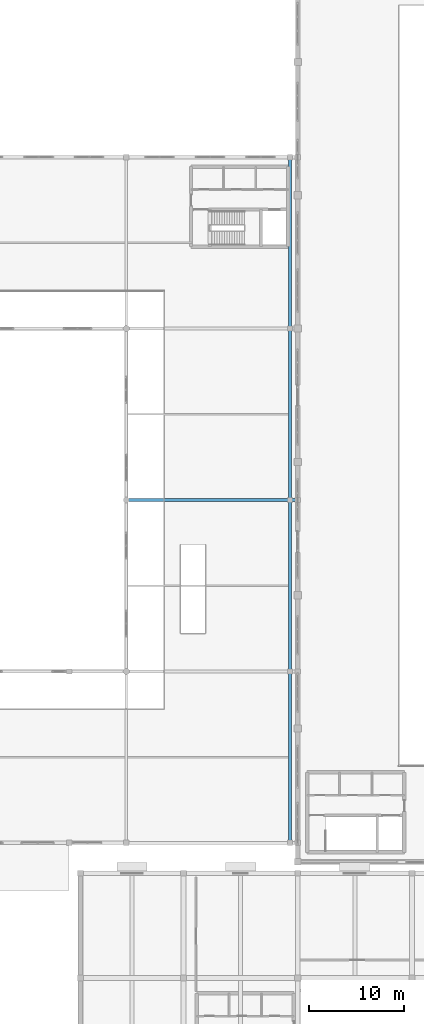
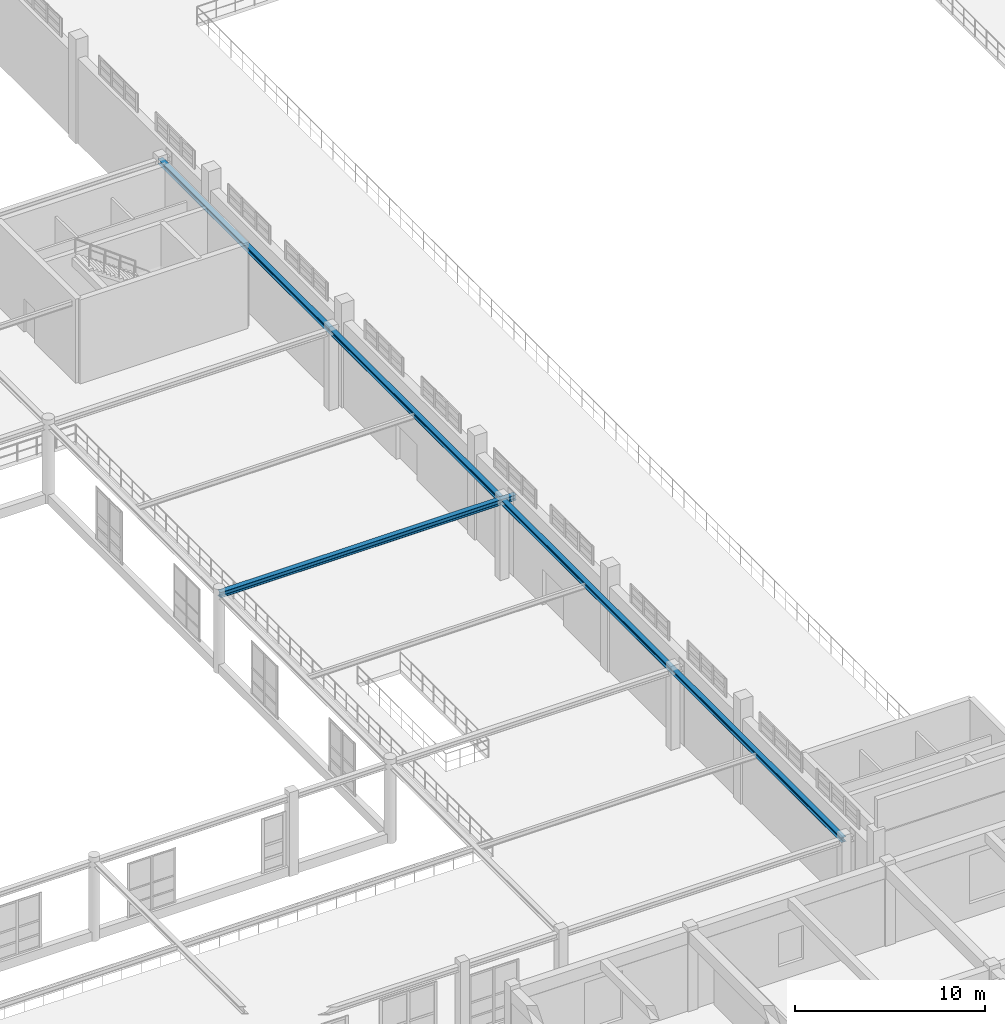
# One storey, part 119 of 197: 2 beams.
"""IFC4 building model written with IfcOpenShell, lengths in metres."""

from ifc_helpers import new_model, si_unit, derived_unit, direction, frame, origin, origin_2d, place, context, subcontext, project, spatial, i_section, extrude, material, material_profile, profile_set, type_object, element, save


model = new_model("IFC4")

# Units and contexts
model_context = context("Model", 3, precision=1e-05, world=origin(), true_north=direction((0.0, 1.0)))
body_context = subcontext(model_context, "Body", "Model", "MODEL_VIEW")
ifc_project = project(units=[si_unit("LENGTHUNIT", "METRE"), si_unit("AREAUNIT", "SQUARE_METRE"), si_unit("VOLUMEUNIT", "CUBIC_METRE"), si_unit("PLANEANGLEUNIT", "RADIAN"), si_unit("MASSUNIT", "GRAM", prefix="KILO"), derived_unit("THERMALTRANSMITTANCEUNIT", [(si_unit("POWERUNIT", "WATT"), 1), (si_unit("LENGTHUNIT", "METRE"), -2), (si_unit("THERMODYNAMICTEMPERATUREUNIT", "KELVIN"), -1)])], contexts=[model_context])

# Site, building, storey
site_placement = place(None, origin())
site = spatial("IfcSite", under=ifc_project, at=site_placement, CompositionType="ELEMENT")
building_placement = place(site_placement, origin())
building = spatial("IfcBuilding", under=site, at=building_placement, Name="Almenara Railside Exhibition Hall", CompositionType="ELEMENT")
storey_placement = place(building_placement, frame((0.0, 0.0, 5.39990234375)))
storey = spatial("IfcBuildingStorey", under=building, at=storey_placement, Name="L01", CompositionType="ELEMENT", Elevation=5.39990234375)

# Beams
ifc_material = material(Name="Structural steel S355JR", Category="steel")
ifc_material_profile_1 = material_profile(ifc_material, i_section(OverallWidth=0.300048828125, OverallDepth=0.31005859375, WebThickness=0.009033203125, FlangeThickness=0.015380859375, FilletRadius=0.027099609375, at=origin_2d()), Name="HEA 320")
ifc_profile_set_1 = profile_set([ifc_material_profile_1], Name="Structural steel S355JR")
beam_type_1 = type_object("IfcBeamType", Name="Steel Concourse Edge Beam HEA 320 S355JR", PredefinedType="BEAM", material=ifc_profile_set_1)
beam_1_placement = place(storey_placement, frame((137.199951171875, 36.0, 4.93115234375), z_axis=(0.0, 1.0, 0.0), x_axis=(-1.0, 0.0, 0.0)))
element("IfcBeam", 1, at=beam_1_placement, inside=storey, type_object=beam_type_1, Name="Beam 0733", PredefinedType="BEAM", context=body_context, shape_type="SweptSolid", body=[
    extrude(i_section(OverallWidth=0.300048828125, OverallDepth=0.31005859375, WebThickness=0.009033203125, FlangeThickness=0.015380859375, FilletRadius=0.027099609375, at=origin_2d()), origin(), (0.0, 0.0, 1.0), 72.0),
])
ifc_material_profile_2 = material_profile(ifc_material, i_section(OverallWidth=0.300048828125, OverallDepth=0.35009765625, WebThickness=0.010009765625, FlangeThickness=0.017578125, FilletRadius=0.027099609375, at=origin_2d()), Name="HEA 360")
ifc_profile_set_2 = profile_set([ifc_material_profile_2], Name="Structural steel S355JR")
beam_type_2 = type_object("IfcBeamType", Name="Steel Concourse Frame Beam HEA 360 S355JR", PredefinedType="BEAM", material=ifc_profile_set_2)
beam_2_placement = place(storey_placement, frame((120.0, 72.0, 4.9111328125), z_axis=(1.0, 0.0, 0.0), x_axis=(0.0, 1.0, 0.0)))
element("IfcBeam", 2, at=beam_2_placement, inside=storey, type_object=beam_type_2, Name="Beam 0796", PredefinedType="BEAM", context=body_context, shape_type="SweptSolid", body=[
    extrude(i_section(OverallWidth=0.300048828125, OverallDepth=0.35009765625, WebThickness=0.010009765625, FlangeThickness=0.017578125, FilletRadius=0.027099609375, at=origin_2d()), origin(), (0.0, 0.0, 1.0), 18.0),
])

save(model, "model.ifc")
